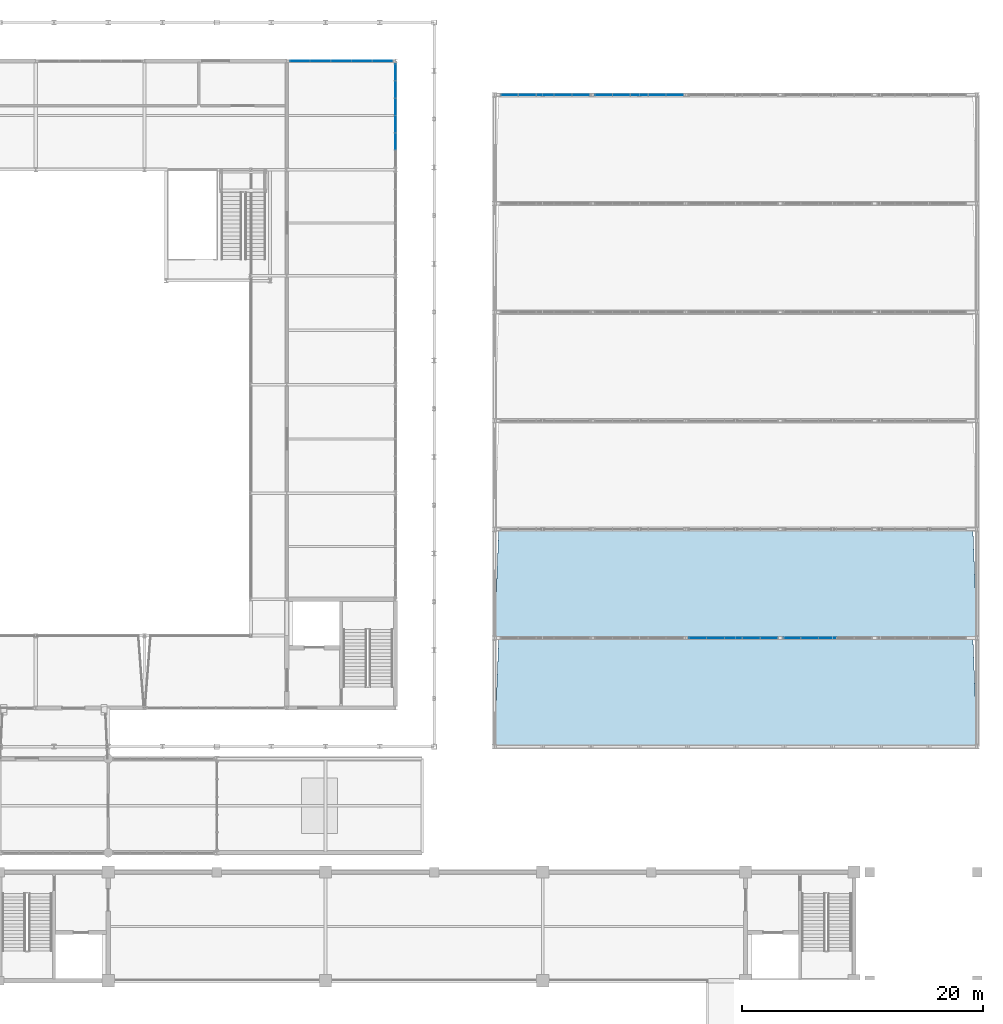
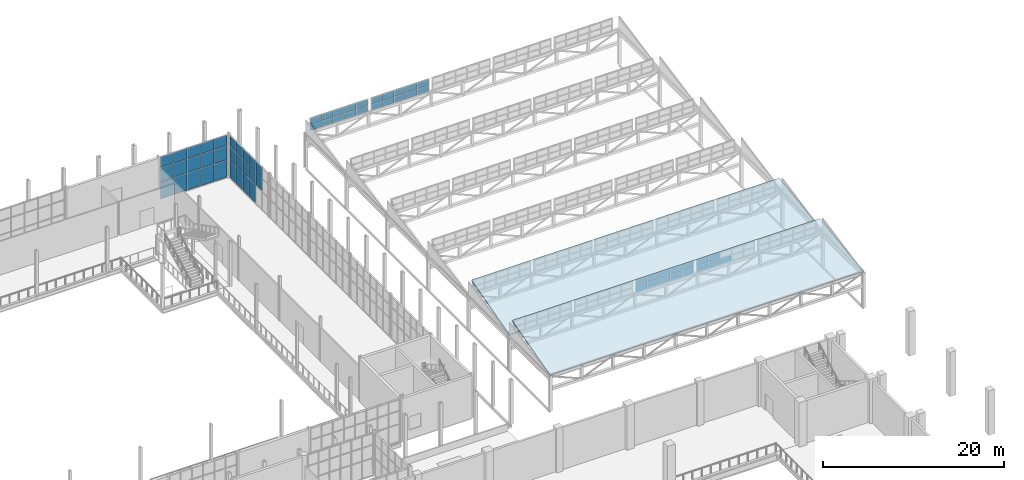
# One storey, part 116 of 159: 64 plates, 2 slabs, 6 elements without a shape of their own.
"""IFC4 building model written with IfcOpenShell, lengths in metres."""

from ifc_helpers import new_model, si_unit, direction, frame, origin, origin_2d, place, context, subcontext, project, spatial, polyline, rectangle, outline, extrude, material, layer, layer_set, type_object, element, aggregate, save


model = new_model("IFC4")

# Units and contexts
model_context = context("Model", 3, precision=1e-05, world=origin(), true_north=direction((0.0, 1.0)))
body_context = subcontext(model_context, "Body", "Model", "MODEL_VIEW")
ifc_project = project(units=[si_unit("LENGTHUNIT", "METRE"), si_unit("AREAUNIT", "SQUARE_METRE"), si_unit("VOLUMEUNIT", "CUBIC_METRE"), si_unit("PLANEANGLEUNIT", "RADIAN"), si_unit("MASSUNIT", "GRAM", prefix="KILO")], contexts=[model_context])

# Site, building, storey
site_placement = place(None, origin())
site = spatial("IfcSite", under=ifc_project, at=site_placement, CompositionType="ELEMENT")
building_placement = place(site_placement, origin())
building = spatial("IfcBuilding", under=site, at=building_placement, Name="Cazmaro Siding Exhibition Halls", CompositionType="ELEMENT")
storey_placement = place(building_placement, frame((0.0, 0.0, 6.0)))
storey = spatial("IfcBuildingStorey", under=building, at=storey_placement, Name="L01", CompositionType="ELEMENT", Elevation=6.0)

# Curtain wall, plates
ifc_material_1 = material(Name="Anodized Bronze Aluminum and Solar-Control Low-E Glazing", Category="aluminium")
ifc_layer_1 = layer(ifc_material_1, 0.199951171875)
ifc_layer_set_1 = layer_set([ifc_layer_1], Name="Anodized Bronze Aluminum and Solar-Control Low-E Glazing")
curtain_wall_type_1 = type_object("IfcCurtainWallType", Name="CWS-02", PredefinedType="USERDEFINED", material=ifc_layer_set_1)
curtain_wall_1_placement = place(storey_placement, origin())
curtain_wall_1 = element("IfcCurtainWall", 1, at=curtain_wall_1_placement, inside=storey, type_object=curtain_wall_type_1, Name="Glazed Curtain Wall CWS-02 CW-048", ObjectType="GLAZED CURTAIN WALL", PredefinedType="USERDEFINED")
ifc_material_2 = material(Name="Solar-Control Low-E Double Insulating Glass", Category="glass")
ifc_layer_2 = layer(ifc_material_2, 0.035888671875)
ifc_layer_set_2 = layer_set([ifc_layer_2], Name="Solar-Control Low-E Double Insulating Glass")
plate_type_1 = type_object("IfcPlateType", Name="CWP-02", PredefinedType="CURTAIN_PANEL", material=ifc_layer_set_2)
plate_1_placement = place(storey_placement, frame((166.72607421875, 120.800048828125, 0.06494140625), z_axis=(0.0, 0.0, 1.0), x_axis=(-1.0, 0.0, 0.0)))
plate_1 = element("IfcPlate", 2, at=plate_1_placement, type_object=plate_type_1, Name="CWS-02 panel 1.1", PredefinedType="CURTAIN_PANEL", context=body_context, shape_type="SweptSolid", body=[
    extrude(rectangle(XDim=1.623779296875, YDim=0.035888671875, at=origin_2d()), origin(), (0.0, 0.0, 1.0), 2.302490234375),
])
plate_2_placement = place(storey_placement, frame((166.72607421875, 120.800048828125, 2.4326171875), z_axis=(0.0, 0.0, 1.0), x_axis=(-1.0, 0.0, 0.0)))
plate_2 = element("IfcPlate", 3, at=plate_2_placement, type_object=plate_type_1, Name="CWS-02 panel 1.2", PredefinedType="CURTAIN_PANEL", context=body_context, shape_type="SweptSolid", body=[
    extrude(rectangle(XDim=1.623779296875, YDim=0.035888671875, at=origin_2d()), origin(), (0.0, 0.0, 1.0), 1.8349609375),
])
plate_3_placement = place(storey_placement, frame((166.72607421875, 120.800048828125, 4.33251953125), z_axis=(0.0, 0.0, 1.0), x_axis=(-1.0, 0.0, 0.0)))
plate_3 = element("IfcPlate", 4, at=plate_3_placement, type_object=plate_type_1, Name="CWS-02 panel 1.3", PredefinedType="CURTAIN_PANEL", context=body_context, shape_type="SweptSolid", body=[
    extrude(rectangle(XDim=1.623779296875, YDim=0.035888671875, at=origin_2d()), origin(), (0.0, 0.0, 1.0), 1.382568359375),
])
plate_4_placement = place(storey_placement, frame((165.021240234375, 120.800048828125, 0.06494140625), z_axis=(0.0, 0.0, 1.0), x_axis=(-1.0, 0.0, 0.0)))
plate_4 = element("IfcPlate", 5, at=plate_4_placement, type_object=plate_type_1, Name="CWS-02 panel 2.1", PredefinedType="CURTAIN_PANEL", context=body_context, shape_type="SweptSolid", body=[
    extrude(rectangle(XDim=1.65625, YDim=0.035888671875, at=origin_2d()), origin(), (0.0, 0.0, 1.0), 2.302490234375),
])
plate_5_placement = place(storey_placement, frame((165.021240234375, 120.800048828125, 2.4326171875), z_axis=(0.0, 0.0, 1.0), x_axis=(-1.0, 0.0, 0.0)))
plate_5 = element("IfcPlate", 6, at=plate_5_placement, type_object=plate_type_1, Name="CWS-02 panel 2.2", PredefinedType="CURTAIN_PANEL", context=body_context, shape_type="SweptSolid", body=[
    extrude(rectangle(XDim=1.65625, YDim=0.035888671875, at=origin_2d()), origin(), (0.0, 0.0, 1.0), 1.8349609375),
])
plate_6_placement = place(storey_placement, frame((165.021240234375, 120.800048828125, 4.33251953125), z_axis=(0.0, 0.0, 1.0), x_axis=(-1.0, 0.0, 0.0)))
plate_6 = element("IfcPlate", 7, at=plate_6_placement, type_object=plate_type_1, Name="CWS-02 panel 2.3", PredefinedType="CURTAIN_PANEL", context=body_context, shape_type="SweptSolid", body=[
    extrude(rectangle(XDim=1.65625, YDim=0.035888671875, at=origin_2d()), origin(), (0.0, 0.0, 1.0), 1.382568359375),
])
plate_7_placement = place(storey_placement, frame((163.300048828125, 120.800048828125, 0.06494140625), z_axis=(0.0, 0.0, 1.0), x_axis=(-1.0, 0.0, 0.0)))
plate_7 = element("IfcPlate", 8, at=plate_7_placement, type_object=plate_type_1, Name="CWS-02 panel 3.1", PredefinedType="CURTAIN_PANEL", context=body_context, shape_type="SweptSolid", body=[
    extrude(rectangle(XDim=1.65625, YDim=0.035888671875, at=origin_2d()), origin(), (0.0, 0.0, 1.0), 2.302490234375),
])
plate_8_placement = place(storey_placement, frame((163.300048828125, 120.800048828125, 2.4326171875), z_axis=(0.0, 0.0, 1.0), x_axis=(-1.0, 0.0, 0.0)))
plate_8 = element("IfcPlate", 9, at=plate_8_placement, type_object=plate_type_1, Name="CWS-02 panel 3.2", PredefinedType="CURTAIN_PANEL", context=body_context, shape_type="SweptSolid", body=[
    extrude(rectangle(XDim=1.65625, YDim=0.035888671875, at=origin_2d()), origin(), (0.0, 0.0, 1.0), 1.8349609375),
])
plate_9_placement = place(storey_placement, frame((163.300048828125, 120.800048828125, 4.33251953125), z_axis=(0.0, 0.0, 1.0), x_axis=(-1.0, 0.0, 0.0)))
plate_9 = element("IfcPlate", 10, at=plate_9_placement, type_object=plate_type_1, Name="CWS-02 panel 3.3", PredefinedType="CURTAIN_PANEL", context=body_context, shape_type="SweptSolid", body=[
    extrude(rectangle(XDim=1.65625, YDim=0.035888671875, at=origin_2d()), origin(), (0.0, 0.0, 1.0), 1.382568359375),
])
plate_10_placement = place(storey_placement, frame((161.578857421875, 120.800048828125, 0.06494140625), z_axis=(0.0, 0.0, 1.0), x_axis=(-1.0, 0.0, 0.0)))
plate_10 = element("IfcPlate", 11, at=plate_10_placement, type_object=plate_type_1, Name="CWS-02 panel 4.1", PredefinedType="CURTAIN_PANEL", context=body_context, shape_type="SweptSolid", body=[
    extrude(rectangle(XDim=1.65625, YDim=0.035888671875, at=origin_2d()), origin(), (0.0, 0.0, 1.0), 2.302490234375),
])
plate_11_placement = place(storey_placement, frame((161.578857421875, 120.800048828125, 2.4326171875), z_axis=(0.0, 0.0, 1.0), x_axis=(-1.0, 0.0, 0.0)))
plate_11 = element("IfcPlate", 12, at=plate_11_placement, type_object=plate_type_1, Name="CWS-02 panel 4.2", PredefinedType="CURTAIN_PANEL", context=body_context, shape_type="SweptSolid", body=[
    extrude(rectangle(XDim=1.65625, YDim=0.035888671875, at=origin_2d()), origin(), (0.0, 0.0, 1.0), 1.8349609375),
])
plate_12_placement = place(storey_placement, frame((161.578857421875, 120.800048828125, 4.33251953125), z_axis=(0.0, 0.0, 1.0), x_axis=(-1.0, 0.0, 0.0)))
plate_12 = element("IfcPlate", 13, at=plate_12_placement, type_object=plate_type_1, Name="CWS-02 panel 4.3", PredefinedType="CURTAIN_PANEL", context=body_context, shape_type="SweptSolid", body=[
    extrude(rectangle(XDim=1.65625, YDim=0.035888671875, at=origin_2d()), origin(), (0.0, 0.0, 1.0), 1.382568359375),
])
plate_13_placement = place(storey_placement, frame((159.873779296875, 120.800048828125, 0.06494140625), z_axis=(0.0, 0.0, 1.0), x_axis=(-1.0, 0.0, 0.0)))
plate_13 = element("IfcPlate", 14, at=plate_13_placement, type_object=plate_type_1, Name="CWS-02 panel 5.1", PredefinedType="CURTAIN_PANEL", context=body_context, shape_type="SweptSolid", body=[
    extrude(rectangle(XDim=1.623779296875, YDim=0.035888671875, at=origin_2d()), origin(), (0.0, 0.0, 1.0), 2.302490234375),
])
plate_14_placement = place(storey_placement, frame((159.873779296875, 120.800048828125, 2.4326171875), z_axis=(0.0, 0.0, 1.0), x_axis=(-1.0, 0.0, 0.0)))
plate_14 = element("IfcPlate", 15, at=plate_14_placement, type_object=plate_type_1, Name="CWS-02 panel 5.2", PredefinedType="CURTAIN_PANEL", context=body_context, shape_type="SweptSolid", body=[
    extrude(rectangle(XDim=1.623779296875, YDim=0.035888671875, at=origin_2d()), origin(), (0.0, 0.0, 1.0), 1.8349609375),
])
plate_15_placement = place(storey_placement, frame((159.873779296875, 120.800048828125, 4.33251953125), z_axis=(0.0, 0.0, 1.0), x_axis=(-1.0, 0.0, 0.0)))
plate_15 = element("IfcPlate", 16, at=plate_15_placement, type_object=plate_type_1, Name="CWS-02 panel 5.3", PredefinedType="CURTAIN_PANEL", context=body_context, shape_type="SweptSolid", body=[
    extrude(rectangle(XDim=1.623779296875, YDim=0.035888671875, at=origin_2d()), origin(), (0.0, 0.0, 1.0), 1.382568359375),
])
aggregate(curtain_wall_1, [plate_1, plate_2, plate_3, plate_4, plate_5, plate_6, plate_7, plate_8, plate_9, plate_10, plate_11, plate_12, plate_13, plate_14, plate_15])

ifc_material_3 = material(Name="Anodized Bronze Aluminum and Solar-Control Low-E Glazing", Category="aluminium")
ifc_layer_3 = layer(ifc_material_3, 0.219970703125)
ifc_layer_set_3 = layer_set([ifc_layer_3], Name="Anodized Bronze Aluminum and Solar-Control Low-E Glazing")
curtain_wall_type_2 = type_object("IfcCurtainWallType", Name="CWS-03", PredefinedType="USERDEFINED", material=ifc_layer_set_3)
curtain_wall_2_placement = place(storey_placement, origin())
curtain_wall_2 = element("IfcCurtainWall", 17, at=curtain_wall_2_placement, inside=storey, type_object=curtain_wall_type_2, Name="Glazed Curtain Wall CWS-03 CW-078", ObjectType="GLAZED CURTAIN WALL", PredefinedType="USERDEFINED")
ifc_material_4 = material(Name="Solar-Control Low-E Double Insulating Glass", Category="glass")
ifc_layer_4 = layer(ifc_material_4, 0.0458984375)
ifc_layer_set_4 = layer_set([ifc_layer_4], Name="Solar-Control Low-E Double Insulating Glass")
plate_type_2 = type_object("IfcPlateType", Name="CWP-03", PredefinedType="CURTAIN_PANEL", material=ifc_layer_set_4)
plate_16_placement = place(storey_placement, frame((167.800048828125, 114.14892578125, 2.534912109375), z_axis=(0.0, 0.0, 1.0), x_axis=(0.0, 1.0, 0.0)))
plate_16 = element("IfcPlate", 18, at=plate_16_placement, type_object=plate_type_2, Name="CWS-03 panel 2.2", PredefinedType="CURTAIN_PANEL", context=body_context, shape_type="SweptSolid", body=[
    extrude(rectangle(XDim=1.364013671875, YDim=0.0458984375, at=origin_2d()), origin(), (0.0, 0.0, 1.0), 1.72998046875),
])
plate_17_placement = place(storey_placement, frame((167.800048828125, 114.14892578125, 4.3349609375), z_axis=(0.0, 0.0, 1.0), x_axis=(0.0, 1.0, 0.0)))
plate_17 = element("IfcPlate", 19, at=plate_17_placement, type_object=plate_type_2, Name="CWS-03 panel 2.3", PredefinedType="CURTAIN_PANEL", context=body_context, shape_type="SweptSolid", body=[
    extrude(rectangle(XDim=1.364013671875, YDim=0.0458984375, at=origin_2d()), origin(), (0.0, 0.0, 1.0), 1.375),
])
plate_18_placement = place(storey_placement, frame((167.800048828125, 115.5830078125, 0.070068359375), z_axis=(0.0, 0.0, 1.0), x_axis=(0.0, 1.0, 0.0)))
plate_18 = element("IfcPlate", 20, at=plate_18_placement, type_object=plate_type_2, Name="CWS-03 panel 3.1", PredefinedType="CURTAIN_PANEL", context=body_context, shape_type="SweptSolid", body=[
    extrude(rectangle(XDim=1.364013671875, YDim=0.0458984375, at=origin_2d()), origin(), (0.0, 0.0, 1.0), 2.39501953125),
])
plate_19_placement = place(storey_placement, frame((167.800048828125, 115.5830078125, 2.534912109375), z_axis=(0.0, 0.0, 1.0), x_axis=(0.0, 1.0, 0.0)))
plate_19 = element("IfcPlate", 21, at=plate_19_placement, type_object=plate_type_2, Name="CWS-03 panel 3.2", PredefinedType="CURTAIN_PANEL", context=body_context, shape_type="SweptSolid", body=[
    extrude(rectangle(XDim=1.364013671875, YDim=0.0458984375, at=origin_2d()), origin(), (0.0, 0.0, 1.0), 1.72998046875),
])
plate_20_placement = place(storey_placement, frame((167.800048828125, 115.5830078125, 4.3349609375), z_axis=(0.0, 0.0, 1.0), x_axis=(0.0, 1.0, 0.0)))
plate_20 = element("IfcPlate", 22, at=plate_20_placement, type_object=plate_type_2, Name="CWS-03 panel 3.3", PredefinedType="CURTAIN_PANEL", context=body_context, shape_type="SweptSolid", body=[
    extrude(rectangle(XDim=1.364013671875, YDim=0.0458984375, at=origin_2d()), origin(), (0.0, 0.0, 1.0), 1.375),
])
plate_21_placement = place(storey_placement, frame((167.800048828125, 117.01708984375, 0.070068359375), z_axis=(0.0, 0.0, 1.0), x_axis=(0.0, 1.0, 0.0)))
plate_21 = element("IfcPlate", 23, at=plate_21_placement, type_object=plate_type_2, Name="CWS-03 panel 4.1", PredefinedType="CURTAIN_PANEL", context=body_context, shape_type="SweptSolid", body=[
    extrude(rectangle(XDim=1.364013671875, YDim=0.0458984375, at=origin_2d()), origin(), (0.0, 0.0, 1.0), 2.39501953125),
])
plate_22_placement = place(storey_placement, frame((167.800048828125, 117.01708984375, 2.534912109375), z_axis=(0.0, 0.0, 1.0), x_axis=(0.0, 1.0, 0.0)))
plate_22 = element("IfcPlate", 24, at=plate_22_placement, type_object=plate_type_2, Name="CWS-03 panel 4.2", PredefinedType="CURTAIN_PANEL", context=body_context, shape_type="SweptSolid", body=[
    extrude(rectangle(XDim=1.364013671875, YDim=0.0458984375, at=origin_2d()), origin(), (0.0, 0.0, 1.0), 1.72998046875),
])
plate_23_placement = place(storey_placement, frame((167.800048828125, 117.01708984375, 4.3349609375), z_axis=(0.0, 0.0, 1.0), x_axis=(0.0, 1.0, 0.0)))
plate_23 = element("IfcPlate", 25, at=plate_23_placement, type_object=plate_type_2, Name="CWS-03 panel 4.3", PredefinedType="CURTAIN_PANEL", context=body_context, shape_type="SweptSolid", body=[
    extrude(rectangle(XDim=1.364013671875, YDim=0.0458984375, at=origin_2d()), origin(), (0.0, 0.0, 1.0), 1.375),
])
plate_24_placement = place(storey_placement, frame((167.800048828125, 118.450927734375, 0.070068359375), z_axis=(0.0, 0.0, 1.0), x_axis=(0.0, 1.0, 0.0)))
plate_24 = element("IfcPlate", 26, at=plate_24_placement, type_object=plate_type_2, Name="CWS-03 panel 5.1", PredefinedType="CURTAIN_PANEL", context=body_context, shape_type="SweptSolid", body=[
    extrude(rectangle(XDim=1.364013671875, YDim=0.0458984375, at=origin_2d()), origin(), (0.0, 0.0, 1.0), 2.39501953125),
])
plate_25_placement = place(storey_placement, frame((167.800048828125, 118.450927734375, 2.534912109375), z_axis=(0.0, 0.0, 1.0), x_axis=(0.0, 1.0, 0.0)))
plate_25 = element("IfcPlate", 27, at=plate_25_placement, type_object=plate_type_2, Name="CWS-03 panel 5.2", PredefinedType="CURTAIN_PANEL", context=body_context, shape_type="SweptSolid", body=[
    extrude(rectangle(XDim=1.364013671875, YDim=0.0458984375, at=origin_2d()), origin(), (0.0, 0.0, 1.0), 1.72998046875),
])
plate_26_placement = place(storey_placement, frame((167.800048828125, 118.450927734375, 4.3349609375), z_axis=(0.0, 0.0, 1.0), x_axis=(0.0, 1.0, 0.0)))
plate_26 = element("IfcPlate", 28, at=plate_26_placement, type_object=plate_type_2, Name="CWS-03 panel 5.3", PredefinedType="CURTAIN_PANEL", context=body_context, shape_type="SweptSolid", body=[
    extrude(rectangle(XDim=1.364013671875, YDim=0.0458984375, at=origin_2d()), origin(), (0.0, 0.0, 1.0), 1.375),
])
plate_27_placement = place(storey_placement, frame((167.800048828125, 119.867431640625, 0.070068359375), z_axis=(0.0, 0.0, 1.0), x_axis=(0.0, 1.0, 0.0)))
plate_27 = element("IfcPlate", 29, at=plate_27_placement, type_object=plate_type_2, Name="CWS-03 panel 6.1", PredefinedType="CURTAIN_PANEL", context=body_context, shape_type="SweptSolid", body=[
    extrude(rectangle(XDim=1.3291015625, YDim=0.0458984375, at=origin_2d()), origin(), (0.0, 0.0, 1.0), 2.39501953125),
])
plate_28_placement = place(storey_placement, frame((167.800048828125, 119.867431640625, 2.534912109375), z_axis=(0.0, 0.0, 1.0), x_axis=(0.0, 1.0, 0.0)))
plate_28 = element("IfcPlate", 30, at=plate_28_placement, type_object=plate_type_2, Name="CWS-03 panel 6.2", PredefinedType="CURTAIN_PANEL", context=body_context, shape_type="SweptSolid", body=[
    extrude(rectangle(XDim=1.3291015625, YDim=0.0458984375, at=origin_2d()), origin(), (0.0, 0.0, 1.0), 1.72998046875),
])
plate_29_placement = place(storey_placement, frame((167.800048828125, 119.867431640625, 4.3349609375), z_axis=(0.0, 0.0, 1.0), x_axis=(0.0, 1.0, 0.0)))
plate_29 = element("IfcPlate", 31, at=plate_29_placement, type_object=plate_type_2, Name="CWS-03 panel 6.3", PredefinedType="CURTAIN_PANEL", context=body_context, shape_type="SweptSolid", body=[
    extrude(rectangle(XDim=1.3291015625, YDim=0.0458984375, at=origin_2d()), origin(), (0.0, 0.0, 1.0), 1.375),
])
aggregate(curtain_wall_2, [plate_16, plate_17, plate_18, plate_19, plate_20, plate_21, plate_22, plate_23, plate_24, plate_25, plate_26, plate_27, plate_28, plate_29])

ifc_material_5 = material(Name="Anodized Bronze Aluminum and Solar-Control Low-E Glazing", Category="aluminium")
ifc_layer_5 = layer(ifc_material_5, 0.159912109375)
ifc_layer_set_5 = layer_set([ifc_layer_5], Name="Anodized Bronze Aluminum and Solar-Control Low-E Glazing")
curtain_wall_type_3 = type_object("IfcCurtainWallType", Name="CWS-04", PredefinedType="USERDEFINED", material=ifc_layer_set_5)
curtain_wall_3_placement = place(storey_placement, origin())
curtain_wall_3 = element("IfcCurtainWall", 32, at=curtain_wall_3_placement, inside=storey, type_object=curtain_wall_type_3, Name="Clerestory Curtain Wall CWS-04 CW-112", ObjectType="CLERESTORY CURTAIN WALL", PredefinedType="USERDEFINED")
ifc_material_6 = material(Name="Solar-Control Low-E Double Insulating Glass", Category="glass")
ifc_layer_6 = layer(ifc_material_6, 0.028076171875)
ifc_layer_set_6 = layer_set([ifc_layer_6], Name="Solar-Control Low-E Double Insulating Glass")
plate_type_3 = type_object("IfcPlateType", Name="CWP-04", PredefinedType="CURTAIN_PANEL", material=ifc_layer_set_6)
plate_30_placement = place(storey_placement, frame((198.7451171875, 73.0, 4.85986328125), z_axis=(0.0, 0.0, 1.0), x_axis=(-1.0, 0.0, 0.0)))
plate_30 = element("IfcPlate", 33, at=plate_30_placement, type_object=plate_type_3, Name="CWS-04 panel 1.1", PredefinedType="CURTAIN_PANEL", context=body_context, shape_type="SweptSolid", body=[
    extrude(rectangle(XDim=1.389892578125, YDim=0.028076171875, at=origin_2d()), origin(), (0.0, 0.0, 1.0), 0.7900390625),
])
plate_31_placement = place(storey_placement, frame((198.7451171875, 73.0, 5.7099609375), z_axis=(0.0, 0.0, 1.0), x_axis=(-1.0, 0.0, 0.0)))
plate_31 = element("IfcPlate", 34, at=plate_31_placement, type_object=plate_type_3, Name="CWS-04 panel 1.2", PredefinedType="CURTAIN_PANEL", context=body_context, shape_type="SweptSolid", body=[
    extrude(rectangle(XDim=1.389892578125, YDim=0.028076171875, at=origin_2d()), origin(), (0.0, 0.0, 1.0), 0.780029296875),
])
plate_32_placement = place(storey_placement, frame((197.280029296875, 73.0, 4.85986328125), z_axis=(0.0, 0.0, 1.0), x_axis=(-1.0, 0.0, 0.0)))
plate_32 = element("IfcPlate", 35, at=plate_32_placement, type_object=plate_type_3, Name="CWS-04 panel 2.1", PredefinedType="CURTAIN_PANEL", context=body_context, shape_type="SweptSolid", body=[
    extrude(rectangle(XDim=1.419921875, YDim=0.028076171875, at=origin_2d()), origin(), (0.0, 0.0, 1.0), 0.7900390625),
])
plate_33_placement = place(storey_placement, frame((197.280029296875, 73.0, 5.7099609375), z_axis=(0.0, 0.0, 1.0), x_axis=(-1.0, 0.0, 0.0)))
plate_33 = element("IfcPlate", 36, at=plate_33_placement, type_object=plate_type_3, Name="CWS-04 panel 2.2", PredefinedType="CURTAIN_PANEL", context=body_context, shape_type="SweptSolid", body=[
    extrude(rectangle(XDim=1.419921875, YDim=0.028076171875, at=origin_2d()), origin(), (0.0, 0.0, 1.0), 0.780029296875),
])
plate_34_placement = place(storey_placement, frame((195.800048828125, 73.0, 4.85986328125), z_axis=(0.0, 0.0, 1.0), x_axis=(-1.0, 0.0, 0.0)))
plate_34 = element("IfcPlate", 37, at=plate_34_placement, type_object=plate_type_3, Name="CWS-04 panel 3.1", PredefinedType="CURTAIN_PANEL", context=body_context, shape_type="SweptSolid", body=[
    extrude(rectangle(XDim=1.419921875, YDim=0.028076171875, at=origin_2d()), origin(), (0.0, 0.0, 1.0), 0.7900390625),
])
plate_35_placement = place(storey_placement, frame((195.800048828125, 73.0, 5.7099609375), z_axis=(0.0, 0.0, 1.0), x_axis=(-1.0, 0.0, 0.0)))
plate_35 = element("IfcPlate", 38, at=plate_35_placement, type_object=plate_type_3, Name="CWS-04 panel 3.2", PredefinedType="CURTAIN_PANEL", context=body_context, shape_type="SweptSolid", body=[
    extrude(rectangle(XDim=1.419921875, YDim=0.028076171875, at=origin_2d()), origin(), (0.0, 0.0, 1.0), 0.780029296875),
])
plate_36_placement = place(storey_placement, frame((194.320068359375, 73.0, 4.85986328125), z_axis=(0.0, 0.0, 1.0), x_axis=(-1.0, 0.0, 0.0)))
plate_36 = element("IfcPlate", 39, at=plate_36_placement, type_object=plate_type_3, Name="CWS-04 panel 4.1", PredefinedType="CURTAIN_PANEL", context=body_context, shape_type="SweptSolid", body=[
    extrude(rectangle(XDim=1.419921875, YDim=0.028076171875, at=origin_2d()), origin(), (0.0, 0.0, 1.0), 0.7900390625),
])
plate_37_placement = place(storey_placement, frame((194.320068359375, 73.0, 5.7099609375), z_axis=(0.0, 0.0, 1.0), x_axis=(-1.0, 0.0, 0.0)))
plate_37 = element("IfcPlate", 40, at=plate_37_placement, type_object=plate_type_3, Name="CWS-04 panel 4.2", PredefinedType="CURTAIN_PANEL", context=body_context, shape_type="SweptSolid", body=[
    extrude(rectangle(XDim=1.419921875, YDim=0.028076171875, at=origin_2d()), origin(), (0.0, 0.0, 1.0), 0.780029296875),
])
plate_38_placement = place(storey_placement, frame((192.85498046875, 73.0, 4.85986328125), z_axis=(0.0, 0.0, 1.0), x_axis=(-1.0, 0.0, 0.0)))
plate_38 = element("IfcPlate", 41, at=plate_38_placement, type_object=plate_type_3, Name="CWS-04 panel 5.1", PredefinedType="CURTAIN_PANEL", context=body_context, shape_type="SweptSolid", body=[
    extrude(rectangle(XDim=1.389892578125, YDim=0.028076171875, at=origin_2d()), origin(), (0.0, 0.0, 1.0), 0.7900390625),
])
plate_39_placement = place(storey_placement, frame((192.85498046875, 73.0, 5.7099609375), z_axis=(0.0, 0.0, 1.0), x_axis=(-1.0, 0.0, 0.0)))
plate_39 = element("IfcPlate", 42, at=plate_39_placement, type_object=plate_type_3, Name="CWS-04 panel 5.2", PredefinedType="CURTAIN_PANEL", context=body_context, shape_type="SweptSolid", body=[
    extrude(rectangle(XDim=1.389892578125, YDim=0.028076171875, at=origin_2d()), origin(), (0.0, 0.0, 1.0), 0.780029296875),
])
aggregate(curtain_wall_3, [plate_30, plate_31, plate_32, plate_33, plate_34, plate_35, plate_36, plate_37, plate_38, plate_39])

curtain_wall_4_placement = place(storey_placement, origin())
curtain_wall_4 = element("IfcCurtainWall", 43, at=curtain_wall_4_placement, inside=storey, type_object=curtain_wall_type_3, Name="Clerestory Curtain Wall CWS-04 CW-113", ObjectType="CLERESTORY CURTAIN WALL", PredefinedType="USERDEFINED")
plate_40_placement = place(storey_placement, frame((203.60009765625, 73.0, 4.85986328125), z_axis=(0.0, 0.0, 1.0), x_axis=(-1.0, 0.0, 0.0)))
plate_40 = element("IfcPlate", 44, at=plate_40_placement, type_object=plate_type_3, Name="CWS-04 panel 3.1", PredefinedType="CURTAIN_PANEL", context=body_context, shape_type="SweptSolid", body=[
    extrude(rectangle(XDim=1.419921875, YDim=0.028076171875, at=origin_2d()), origin(), (0.0, 0.0, 1.0), 0.7900390625),
])
plate_41_placement = place(storey_placement, frame((202.1201171875, 73.0, 4.85986328125), z_axis=(0.0, 0.0, 1.0), x_axis=(-1.0, 0.0, 0.0)))
plate_41 = element("IfcPlate", 45, at=plate_41_placement, type_object=plate_type_3, Name="CWS-04 panel 4.1", PredefinedType="CURTAIN_PANEL", context=body_context, shape_type="SweptSolid", body=[
    extrude(rectangle(XDim=1.419921875, YDim=0.028076171875, at=origin_2d()), origin(), (0.0, 0.0, 1.0), 0.7900390625),
])
plate_42_placement = place(storey_placement, frame((202.1201171875, 73.0, 5.7099609375), z_axis=(0.0, 0.0, 1.0), x_axis=(-1.0, 0.0, 0.0)))
plate_42 = element("IfcPlate", 46, at=plate_42_placement, type_object=plate_type_3, Name="CWS-04 panel 4.2", PredefinedType="CURTAIN_PANEL", context=body_context, shape_type="SweptSolid", body=[
    extrude(rectangle(XDim=1.419921875, YDim=0.028076171875, at=origin_2d()), origin(), (0.0, 0.0, 1.0), 0.780029296875),
])
plate_43_placement = place(storey_placement, frame((200.655029296875, 73.0, 4.85986328125), z_axis=(0.0, 0.0, 1.0), x_axis=(-1.0, 0.0, 0.0)))
plate_43 = element("IfcPlate", 47, at=plate_43_placement, type_object=plate_type_3, Name="CWS-04 panel 5.1", PredefinedType="CURTAIN_PANEL", context=body_context, shape_type="SweptSolid", body=[
    extrude(rectangle(XDim=1.389892578125, YDim=0.028076171875, at=origin_2d()), origin(), (0.0, 0.0, 1.0), 0.7900390625),
])
plate_44_placement = place(storey_placement, frame((200.655029296875, 73.0, 5.7099609375), z_axis=(0.0, 0.0, 1.0), x_axis=(-1.0, 0.0, 0.0)))
plate_44 = element("IfcPlate", 48, at=plate_44_placement, type_object=plate_type_3, Name="CWS-04 panel 5.2", PredefinedType="CURTAIN_PANEL", context=body_context, shape_type="SweptSolid", body=[
    extrude(rectangle(XDim=1.389892578125, YDim=0.028076171875, at=origin_2d()), origin(), (0.0, 0.0, 1.0), 0.780029296875),
])
aggregate(curtain_wall_4, [plate_40, plate_41, plate_42, plate_43, plate_44])

curtain_wall_5_placement = place(storey_placement, origin())
curtain_wall_5 = element("IfcCurtainWall", 49, at=curtain_wall_5_placement, inside=storey, type_object=curtain_wall_type_3, Name="Clerestory Curtain Wall CWS-04 CW-135", ObjectType="CLERESTORY CURTAIN WALL", PredefinedType="USERDEFINED")
plate_45_placement = place(storey_placement, frame((183.14501953125, 118.0, 4.85986328125), z_axis=(0.0, 0.0, 1.0), x_axis=(-1.0, 0.0, 0.0)))
plate_45 = element("IfcPlate", 50, at=plate_45_placement, type_object=plate_type_3, Name="CWS-04 panel 1.1", PredefinedType="CURTAIN_PANEL", context=body_context, shape_type="SweptSolid", body=[
    extrude(rectangle(XDim=1.389892578125, YDim=0.028076171875, at=origin_2d()), origin(), (0.0, 0.0, 1.0), 0.7900390625),
])
plate_46_placement = place(storey_placement, frame((183.14501953125, 118.0, 5.7099609375), z_axis=(0.0, 0.0, 1.0), x_axis=(-1.0, 0.0, 0.0)))
plate_46 = element("IfcPlate", 51, at=plate_46_placement, type_object=plate_type_3, Name="CWS-04 panel 1.2", PredefinedType="CURTAIN_PANEL", context=body_context, shape_type="SweptSolid", body=[
    extrude(rectangle(XDim=1.389892578125, YDim=0.028076171875, at=origin_2d()), origin(), (0.0, 0.0, 1.0), 0.780029296875),
])
plate_47_placement = place(storey_placement, frame((181.679931640625, 118.0, 4.85986328125), z_axis=(0.0, 0.0, 1.0), x_axis=(-1.0, 0.0, 0.0)))
plate_47 = element("IfcPlate", 52, at=plate_47_placement, type_object=plate_type_3, Name="CWS-04 panel 2.1", PredefinedType="CURTAIN_PANEL", context=body_context, shape_type="SweptSolid", body=[
    extrude(rectangle(XDim=1.419921875, YDim=0.028076171875, at=origin_2d()), origin(), (0.0, 0.0, 1.0), 0.7900390625),
])
plate_48_placement = place(storey_placement, frame((181.679931640625, 118.0, 5.7099609375), z_axis=(0.0, 0.0, 1.0), x_axis=(-1.0, 0.0, 0.0)))
plate_48 = element("IfcPlate", 53, at=plate_48_placement, type_object=plate_type_3, Name="CWS-04 panel 2.2", PredefinedType="CURTAIN_PANEL", context=body_context, shape_type="SweptSolid", body=[
    extrude(rectangle(XDim=1.419921875, YDim=0.028076171875, at=origin_2d()), origin(), (0.0, 0.0, 1.0), 0.780029296875),
])
plate_49_placement = place(storey_placement, frame((180.199951171875, 118.0, 4.85986328125), z_axis=(0.0, 0.0, 1.0), x_axis=(-1.0, 0.0, 0.0)))
plate_49 = element("IfcPlate", 54, at=plate_49_placement, type_object=plate_type_3, Name="CWS-04 panel 3.1", PredefinedType="CURTAIN_PANEL", context=body_context, shape_type="SweptSolid", body=[
    extrude(rectangle(XDim=1.419921875, YDim=0.028076171875, at=origin_2d()), origin(), (0.0, 0.0, 1.0), 0.7900390625),
])
plate_50_placement = place(storey_placement, frame((180.199951171875, 118.0, 5.7099609375), z_axis=(0.0, 0.0, 1.0), x_axis=(-1.0, 0.0, 0.0)))
plate_50 = element("IfcPlate", 55, at=plate_50_placement, type_object=plate_type_3, Name="CWS-04 panel 3.2", PredefinedType="CURTAIN_PANEL", context=body_context, shape_type="SweptSolid", body=[
    extrude(rectangle(XDim=1.419921875, YDim=0.028076171875, at=origin_2d()), origin(), (0.0, 0.0, 1.0), 0.780029296875),
])
plate_51_placement = place(storey_placement, frame((178.719970703125, 118.0, 4.85986328125), z_axis=(0.0, 0.0, 1.0), x_axis=(-1.0, 0.0, 0.0)))
plate_51 = element("IfcPlate", 56, at=plate_51_placement, type_object=plate_type_3, Name="CWS-04 panel 4.1", PredefinedType="CURTAIN_PANEL", context=body_context, shape_type="SweptSolid", body=[
    extrude(rectangle(XDim=1.419921875, YDim=0.028076171875, at=origin_2d()), origin(), (0.0, 0.0, 1.0), 0.7900390625),
])
plate_52_placement = place(storey_placement, frame((178.719970703125, 118.0, 5.7099609375), z_axis=(0.0, 0.0, 1.0), x_axis=(-1.0, 0.0, 0.0)))
plate_52 = element("IfcPlate", 57, at=plate_52_placement, type_object=plate_type_3, Name="CWS-04 panel 4.2", PredefinedType="CURTAIN_PANEL", context=body_context, shape_type="SweptSolid", body=[
    extrude(rectangle(XDim=1.419921875, YDim=0.028076171875, at=origin_2d()), origin(), (0.0, 0.0, 1.0), 0.780029296875),
])
plate_53_placement = place(storey_placement, frame((177.2548828125, 118.0, 4.85986328125), z_axis=(0.0, 0.0, 1.0), x_axis=(-1.0, 0.0, 0.0)))
plate_53 = element("IfcPlate", 58, at=plate_53_placement, type_object=plate_type_3, Name="CWS-04 panel 5.1", PredefinedType="CURTAIN_PANEL", context=body_context, shape_type="SweptSolid", body=[
    extrude(rectangle(XDim=1.389892578125, YDim=0.028076171875, at=origin_2d()), origin(), (0.0, 0.0, 1.0), 0.7900390625),
])
plate_54_placement = place(storey_placement, frame((177.2548828125, 118.0, 5.7099609375), z_axis=(0.0, 0.0, 1.0), x_axis=(-1.0, 0.0, 0.0)))
plate_54 = element("IfcPlate", 59, at=plate_54_placement, type_object=plate_type_3, Name="CWS-04 panel 5.2", PredefinedType="CURTAIN_PANEL", context=body_context, shape_type="SweptSolid", body=[
    extrude(rectangle(XDim=1.389892578125, YDim=0.028076171875, at=origin_2d()), origin(), (0.0, 0.0, 1.0), 0.780029296875),
])
aggregate(curtain_wall_5, [plate_45, plate_46, plate_47, plate_48, plate_49, plate_50, plate_51, plate_52, plate_53, plate_54])

curtain_wall_6_placement = place(storey_placement, origin())
curtain_wall_6 = element("IfcCurtainWall", 60, at=curtain_wall_6_placement, inside=storey, type_object=curtain_wall_type_3, Name="Clerestory Curtain Wall CWS-04 CW-136", ObjectType="CLERESTORY CURTAIN WALL", PredefinedType="USERDEFINED")
plate_55_placement = place(storey_placement, frame((190.945068359375, 118.0, 4.85986328125), z_axis=(0.0, 0.0, 1.0), x_axis=(-1.0, 0.0, 0.0)))
plate_55 = element("IfcPlate", 61, at=plate_55_placement, type_object=plate_type_3, Name="CWS-04 panel 1.1", PredefinedType="CURTAIN_PANEL", context=body_context, shape_type="SweptSolid", body=[
    extrude(rectangle(XDim=1.389892578125, YDim=0.028076171875, at=origin_2d()), origin(), (0.0, 0.0, 1.0), 0.7900390625),
])
plate_56_placement = place(storey_placement, frame((190.945068359375, 118.0, 5.7099609375), z_axis=(0.0, 0.0, 1.0), x_axis=(-1.0, 0.0, 0.0)))
plate_56 = element("IfcPlate", 62, at=plate_56_placement, type_object=plate_type_3, Name="CWS-04 panel 1.2", PredefinedType="CURTAIN_PANEL", context=body_context, shape_type="SweptSolid", body=[
    extrude(rectangle(XDim=1.389892578125, YDim=0.028076171875, at=origin_2d()), origin(), (0.0, 0.0, 1.0), 0.780029296875),
])
plate_57_placement = place(storey_placement, frame((189.47998046875, 118.0, 4.85986328125), z_axis=(0.0, 0.0, 1.0), x_axis=(-1.0, 0.0, 0.0)))
plate_57 = element("IfcPlate", 63, at=plate_57_placement, type_object=plate_type_3, Name="CWS-04 panel 2.1", PredefinedType="CURTAIN_PANEL", context=body_context, shape_type="SweptSolid", body=[
    extrude(rectangle(XDim=1.419921875, YDim=0.028076171875, at=origin_2d()), origin(), (0.0, 0.0, 1.0), 0.7900390625),
])
plate_58_placement = place(storey_placement, frame((189.47998046875, 118.0, 5.7099609375), z_axis=(0.0, 0.0, 1.0), x_axis=(-1.0, 0.0, 0.0)))
plate_58 = element("IfcPlate", 64, at=plate_58_placement, type_object=plate_type_3, Name="CWS-04 panel 2.2", PredefinedType="CURTAIN_PANEL", context=body_context, shape_type="SweptSolid", body=[
    extrude(rectangle(XDim=1.419921875, YDim=0.028076171875, at=origin_2d()), origin(), (0.0, 0.0, 1.0), 0.780029296875),
])
plate_59_placement = place(storey_placement, frame((188.0, 118.0, 4.85986328125), z_axis=(0.0, 0.0, 1.0), x_axis=(-1.0, 0.0, 0.0)))
plate_59 = element("IfcPlate", 65, at=plate_59_placement, type_object=plate_type_3, Name="CWS-04 panel 3.1", PredefinedType="CURTAIN_PANEL", context=body_context, shape_type="SweptSolid", body=[
    extrude(rectangle(XDim=1.419921875, YDim=0.028076171875, at=origin_2d()), origin(), (0.0, 0.0, 1.0), 0.7900390625),
])
plate_60_placement = place(storey_placement, frame((188.0, 118.0, 5.7099609375), z_axis=(0.0, 0.0, 1.0), x_axis=(-1.0, 0.0, 0.0)))
plate_60 = element("IfcPlate", 66, at=plate_60_placement, type_object=plate_type_3, Name="CWS-04 panel 3.2", PredefinedType="CURTAIN_PANEL", context=body_context, shape_type="SweptSolid", body=[
    extrude(rectangle(XDim=1.419921875, YDim=0.028076171875, at=origin_2d()), origin(), (0.0, 0.0, 1.0), 0.780029296875),
])
plate_61_placement = place(storey_placement, frame((186.52001953125, 118.0, 4.85986328125), z_axis=(0.0, 0.0, 1.0), x_axis=(-1.0, 0.0, 0.0)))
plate_61 = element("IfcPlate", 67, at=plate_61_placement, type_object=plate_type_3, Name="CWS-04 panel 4.1", PredefinedType="CURTAIN_PANEL", context=body_context, shape_type="SweptSolid", body=[
    extrude(rectangle(XDim=1.419921875, YDim=0.028076171875, at=origin_2d()), origin(), (0.0, 0.0, 1.0), 0.7900390625),
])
plate_62_placement = place(storey_placement, frame((186.52001953125, 118.0, 5.7099609375), z_axis=(0.0, 0.0, 1.0), x_axis=(-1.0, 0.0, 0.0)))
plate_62 = element("IfcPlate", 68, at=plate_62_placement, type_object=plate_type_3, Name="CWS-04 panel 4.2", PredefinedType="CURTAIN_PANEL", context=body_context, shape_type="SweptSolid", body=[
    extrude(rectangle(XDim=1.419921875, YDim=0.028076171875, at=origin_2d()), origin(), (0.0, 0.0, 1.0), 0.780029296875),
])
plate_63_placement = place(storey_placement, frame((185.054931640625, 118.0, 4.85986328125), z_axis=(0.0, 0.0, 1.0), x_axis=(-1.0, 0.0, 0.0)))
plate_63 = element("IfcPlate", 69, at=plate_63_placement, type_object=plate_type_3, Name="CWS-04 panel 5.1", PredefinedType="CURTAIN_PANEL", context=body_context, shape_type="SweptSolid", body=[
    extrude(rectangle(XDim=1.389892578125, YDim=0.028076171875, at=origin_2d()), origin(), (0.0, 0.0, 1.0), 0.7900390625),
])
plate_64_placement = place(storey_placement, frame((185.054931640625, 118.0, 5.7099609375), z_axis=(0.0, 0.0, 1.0), x_axis=(-1.0, 0.0, 0.0)))
plate_64 = element("IfcPlate", 70, at=plate_64_placement, type_object=plate_type_3, Name="CWS-04 panel 5.2", PredefinedType="CURTAIN_PANEL", context=body_context, shape_type="SweptSolid", body=[
    extrude(rectangle(XDim=1.389892578125, YDim=0.028076171875, at=origin_2d()), origin(), (0.0, 0.0, 1.0), 0.780029296875),
])
aggregate(curtain_wall_6, [plate_55, plate_56, plate_57, plate_58, plate_59, plate_60, plate_61, plate_62, plate_63, plate_64])

# Slabs
ifc_material_7 = material(Name="Concrete f'c 35 MPa", Category="concrete")
ifc_layer_7 = layer(ifc_material_7, 0.159912109375)
ifc_layer_set_7 = layer_set([ifc_layer_7], Name="Concrete f'c 35 MPa")
slab_type = type_object("IfcSlabType", Name="RS-01", PredefinedType="ROOF", material=ifc_layer_set_7)
for number, where, z_axis, x_axis, name in (
    (71, (176.0, 64.0, 4.800048828125), (0.0, -0.196121250506, 0.980579652604), (1.0, 0.0, 0.0), "Sawtooth Hall C Roof Monitor 1 RS-01 SLB-0081"),
    (72, (176.0, 73.0, 4.800048828125), (0.0, -0.196121250506, 0.980579652604), (1.0, 0.0, 0.0), "Sawtooth Hall C Roof Monitor 2 RS-01 SLB-0082"),
):
    element("IfcSlab", number, at=place(storey_placement, frame(where, z_axis=z_axis, x_axis=x_axis)), inside=storey, type_object=slab_type, Name=name, PredefinedType="ROOF", context=body_context, shape_type="SweptSolid", body=[
        extrude(outline(polyline([(0.0, 0.0), (40.0, 0.0), (39.64990234375, 9.17824470057506), (0.35009765625, 9.17824470057506), (0.0, 0.0)])), origin(), (0.0, 0.0, -1.0), 0.159912109375),
    ])

save(model, "model.ifc")
